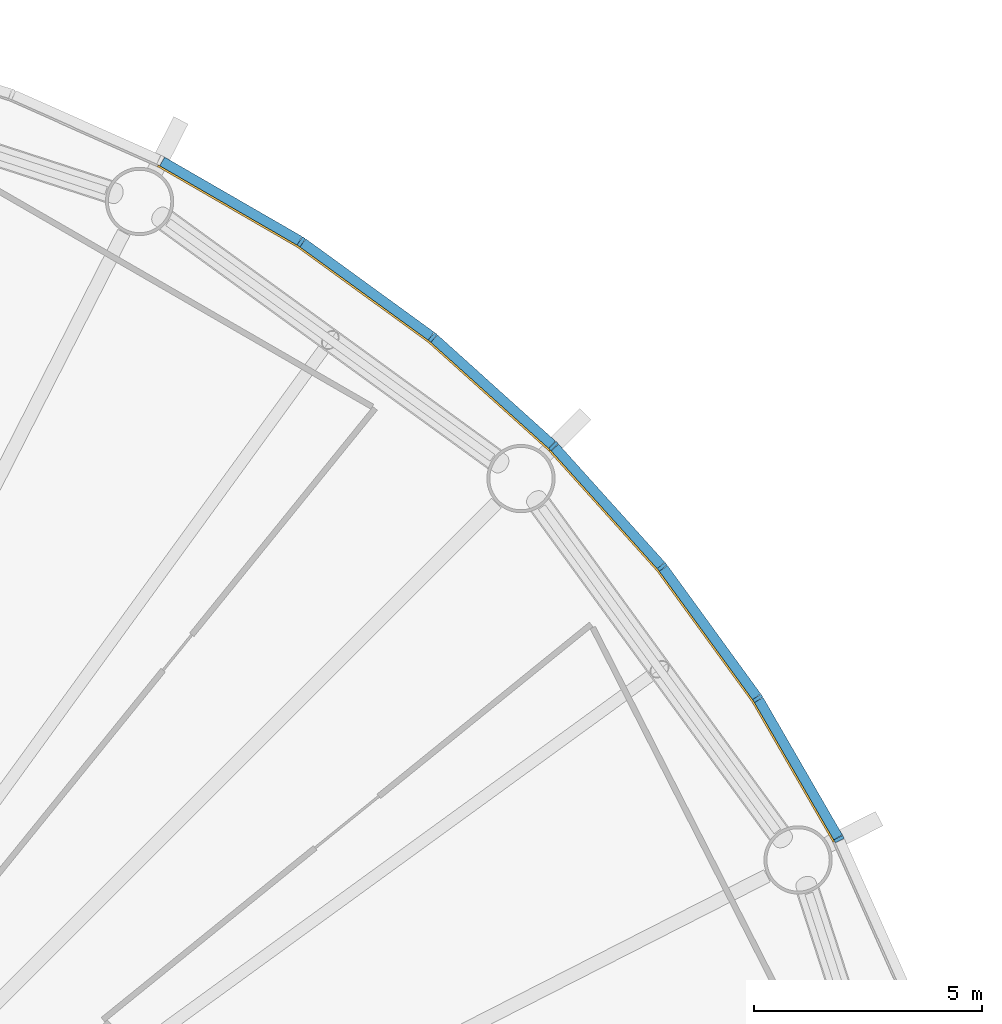
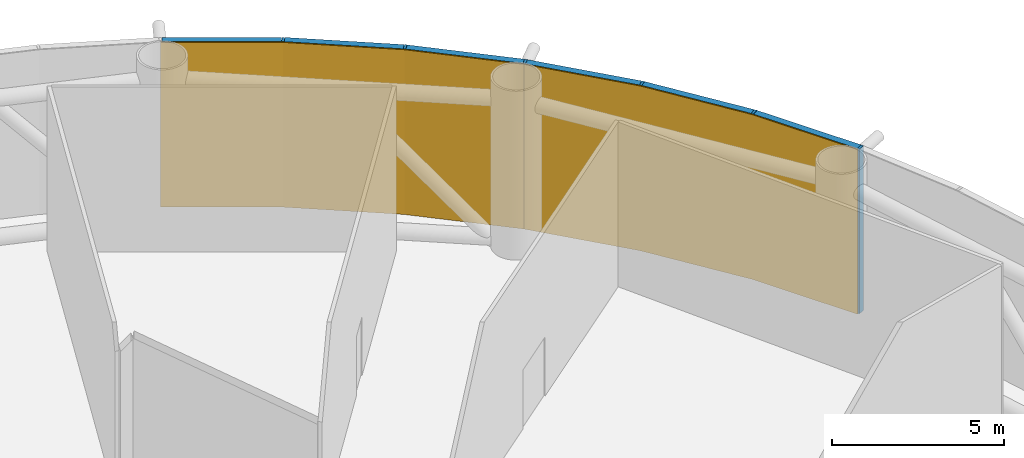
# One storey, part 11 of 14: 12 members, 2 curtain walls.
"""IFC4 building model written with IfcOpenShell, lengths in metres."""

from ifc_helpers import new_model, si_unit, direction, frame, origin, origin_2d, place, context, subcontext, project, spatial, polyline, rectangle, outline, extrude, material, layer, layer_set, material_profile, profile_set, type_object, element, aggregate, save


model = new_model("IFC4")

# Units and contexts
model_context = context("Model", 3, precision=1e-05, world=origin(), true_north=direction((0.0, 1.0)))
body_context = subcontext(model_context, "Body", "Model", "MODEL_VIEW")
ifc_project = project(units=[si_unit("LENGTHUNIT", "METRE"), si_unit("AREAUNIT", "SQUARE_METRE"), si_unit("VOLUMEUNIT", "CUBIC_METRE"), si_unit("PLANEANGLEUNIT", "RADIAN"), si_unit("MASSUNIT", "GRAM", prefix="KILO")], contexts=[model_context])

# Member
ifc_material_1 = material(Name="Anodised aluminium", Category="aluminium")
ifc_material_profile_1 = material_profile(ifc_material_1, rectangle(XDim=0.074951171875, YDim=0.219970703125, at=origin_2d()), Name="Mullion 75 x 220 mm anodised aluminium")
ifc_profile_set_1 = profile_set([ifc_material_profile_1], Name="Anodised aluminium")
member_type_1 = type_object("IfcMemberType", Name="Mullion 75 x 220 mm anodised aluminium", PredefinedType="MULLION", material=ifc_profile_set_1)
site_placement = place(None, origin())
building_placement = place(site_placement, origin())
storey_placement = place(building_placement, frame((0.0, 0.0, 12.0)))
member_1_placement = place(storey_placement, frame((120.392333984375, 95.485595703125, 0.0), z_axis=(0.0, 0.0, 1.0), x_axis=(-0.45399049974, 0.891006524188, 0.0)))
member_1 = element("IfcMember", 1, at=member_1_placement, type_object=member_type_1, Name="MULLION L01-03", PredefinedType="MULLION", context=body_context, shape_type="SweptSolid", body=[
    extrude(rectangle(XDim=0.074951171875, YDim=0.219970703125, at=origin_2d()), origin(), (0.0, 0.0, 1.0), 5.85009765625),
])

member_2_placement = place(storey_placement, frame((118.60693359375, 98.57763671875, 0.0), z_axis=(0.0, 0.0, 1.0), x_axis=(-0.544639035015, 0.838670567945, 0.0)))
member_2 = element("IfcMember", 2, at=member_2_placement, type_object=member_type_1, Name="MULLION L01-04", PredefinedType="MULLION", context=body_context, shape_type="SweptSolid", body=[
    extrude(rectangle(XDim=0.074951171875, YDim=0.219970703125, at=origin_2d()), origin(), (0.0, 0.0, 1.0), 5.85009765625),
])

member_3_placement = place(storey_placement, frame((116.508544921875, 101.466064453125, 0.0), z_axis=(0.0, 0.0, 1.0), x_axis=(-0.62932039105, 0.777145961457, 0.0)))
member_3 = element("IfcMember", 3, at=member_3_placement, type_object=member_type_1, Name="MULLION L01-05", PredefinedType="MULLION", context=body_context, shape_type="SweptSolid", body=[
    extrude(rectangle(XDim=0.074951171875, YDim=0.219970703125, at=origin_2d()), origin(), (0.0, 0.0, 1.0), 5.85009765625),
])

member_4_placement = place(storey_placement, frame((114.119384765625, 104.119384765625, 0.0), z_axis=(0.0, 0.0, 1.0), x_axis=(-0.707106781187, 0.707106781187, 0.0)))
member_4 = element("IfcMember", 4, at=member_4_placement, type_object=member_type_1, Name="MULLION L01-06", PredefinedType="MULLION", context=body_context, shape_type="SweptSolid", body=[
    extrude(rectangle(XDim=0.074951171875, YDim=0.219970703125, at=origin_2d()), origin(), (0.0, 0.0, 1.0), 5.85009765625),
])

member_5_placement = place(storey_placement, frame((111.466064453125, 106.508544921875, 0.0), z_axis=(0.0, 0.0, 1.0), x_axis=(-0.777145961457, 0.62932039105, 0.0)))
member_5 = element("IfcMember", 5, at=member_5_placement, type_object=member_type_1, Name="MULLION L01-07", PredefinedType="MULLION", context=body_context, shape_type="SweptSolid", body=[
    extrude(rectangle(XDim=0.074951171875, YDim=0.219970703125, at=origin_2d()), origin(), (0.0, 0.0, 1.0), 5.85009765625),
])

member_6_placement = place(storey_placement, frame((108.57763671875, 108.60693359375, 0.0), z_axis=(0.0, 0.0, 1.0), x_axis=(-0.838670567945, 0.544639035015, 0.0)))
member_6 = element("IfcMember", 6, at=member_6_placement, type_object=member_type_1, Name="MULLION L01-08", PredefinedType="MULLION", context=body_context, shape_type="SweptSolid", body=[
    extrude(rectangle(XDim=0.074951171875, YDim=0.219970703125, at=origin_2d()), origin(), (0.0, 0.0, 1.0), 5.85009765625),
])

ifc_material_2 = material(Name="Anodised aluminium", Category="aluminium")
ifc_material_profile_2 = material_profile(ifc_material_2, rectangle(XDim=0.219970703125, YDim=0.199951171875, at=origin_2d()), Name="Transom 200 x 220 mm anodised aluminium")
ifc_profile_set_2 = profile_set([ifc_material_profile_2], Name="Anodised aluminium")
member_type_2 = type_object("IfcMemberType", Name="Transom 200 x 220 mm anodised aluminium", PredefinedType="USERDEFINED", material=ifc_profile_set_2)
member_7_placement = place(storey_placement, frame((120.370849609375, 95.523193359375, 5.75), z_axis=(-0.500005538244, 0.866022206254, 0.0), x_axis=(-0.866022206254, -0.500005538244, 0.0)))
member_7 = element("IfcMember", 7, at=member_7_placement, type_object=member_type_2, Name="TRANSOM L01-03", ObjectType="TRANSOM", PredefinedType="USERDEFINED", context=body_context, shape_type="SweptSolid", body=[
    extrude(rectangle(XDim=0.219970703125, YDim=0.199951171875, at=origin_2d()), origin(), (0.0, 0.0, 1.0), 3.48388671875),
])

member_8_placement = place(storey_placement, frame((118.581787109375, 98.61279296875, 5.75), z_axis=(-0.587821627006, 0.80899056535, 0.0), x_axis=(-0.80899056535, -0.587821627006, 0.0)))
member_8 = element("IfcMember", 8, at=member_8_placement, type_object=member_type_2, Name="TRANSOM L01-04", ObjectType="TRANSOM", PredefinedType="USERDEFINED", context=body_context, shape_type="SweptSolid", body=[
    extrude(rectangle(XDim=0.219970703125, YDim=0.199951171875, at=origin_2d()), origin(), (0.0, 0.0, 1.0), 3.48388671875),
])

member_9_placement = place(storey_placement, frame((116.479736328125, 101.498291015625, 5.75), z_axis=(-0.669138930974, 0.743137329876, 0.0), x_axis=(-0.743137329876, -0.669138930974, 0.0)))
member_9 = element("IfcMember", 9, at=member_9_placement, type_object=member_type_2, Name="TRANSOM L01-05", ObjectType="TRANSOM", PredefinedType="USERDEFINED", context=body_context, shape_type="SweptSolid", body=[
    extrude(rectangle(XDim=0.219970703125, YDim=0.199951171875, at=origin_2d()), origin(), (0.0, 0.0, 1.0), 3.484130859375),
])

member_10_placement = place(storey_placement, frame((114.08740234375, 104.1484375, 5.75), z_axis=(-0.743137329876, 0.669138930974, 0.0), x_axis=(-0.669138930974, -0.743137329876, 0.0)))
member_10 = element("IfcMember", 10, at=member_10_placement, type_object=member_type_2, Name="TRANSOM L01-06", ObjectType="TRANSOM", PredefinedType="USERDEFINED", context=body_context, shape_type="SweptSolid", body=[
    extrude(rectangle(XDim=0.219970703125, YDim=0.199951171875, at=origin_2d()), origin(), (0.0, 0.0, 1.0), 3.484130859375),
])

member_11_placement = place(storey_placement, frame((111.43115234375, 106.533935546875, 5.75), z_axis=(-0.80899056535, 0.587821627006, 0.0), x_axis=(-0.587821627006, -0.80899056535, 0.0)))
member_11 = element("IfcMember", 11, at=member_11_placement, type_object=member_type_2, Name="TRANSOM L01-07", ObjectType="TRANSOM", PredefinedType="USERDEFINED", context=body_context, shape_type="SweptSolid", body=[
    extrude(rectangle(XDim=0.219970703125, YDim=0.199951171875, at=origin_2d()), origin(), (0.0, 0.0, 1.0), 3.48388671875),
])

member_12_placement = place(storey_placement, frame((108.540283203125, 108.62890625, 5.75), z_axis=(-0.866022206254, 0.500005538244, 0.0), x_axis=(-0.500005538244, -0.866022206254, 0.0)))
member_12 = element("IfcMember", 12, at=member_12_placement, type_object=member_type_2, Name="TRANSOM L01-08", ObjectType="TRANSOM", PredefinedType="USERDEFINED", context=body_context, shape_type="SweptSolid", body=[
    extrude(rectangle(XDim=0.219970703125, YDim=0.199951171875, at=origin_2d()), origin(), (0.0, 0.0, 1.0), 3.48388671875),
])

# Site, building, storey
site = spatial("IfcSite", under=ifc_project, at=site_placement, CompositionType="ELEMENT")
building = spatial("IfcBuilding", under=site, at=building_placement, Name="Entoto Ring Tower", CompositionType="ELEMENT")
storey = spatial("IfcBuildingStorey", under=building, at=storey_placement, Name="L01", CompositionType="ELEMENT", Elevation=12.0)

# Curtain wall
ifc_material_3 = material(Name="Clear low-iron glass", Category="glass")
ifc_layer = layer(ifc_material_3, 0.0400390625)
ifc_layer_set = layer_set([ifc_layer], Name="Clear low-iron glass")
curtain_wall_type = type_object("IfcCurtainWallType", Name="Curtain wall system CW1 glazing 40 mm", PredefinedType="NOTDEFINED", material=ifc_layer_set)
curtain_wall_1_placement = place(storey_placement, origin())
curtain_wall_1 = element("IfcCurtainWall", 13, at=curtain_wall_1_placement, inside=storey, type_object=curtain_wall_type, Name="CW1 L01-02", PredefinedType="NOTDEFINED", context=body_context, shape_type="SweptSolid", body=[
    extrude(outline(polyline([(120.294189453125, 95.435791015625), (118.514892578125, 98.517822265625), (116.4228515625, 101.39697265625), (114.041748046875, 104.041748046875), (114.013427734375, 104.013427734375), (116.391845703125, 101.37158203125), (118.481201171875, 98.495849609375), (120.258544921875, 95.41748046875), (120.294189453125, 95.435791015625)])), origin(), (0.0, 0.0, 1.0), 5.85009765625),
])

aggregate(curtain_wall_1, [member_1, member_2, member_3, member_7, member_8, member_9])

curtain_wall_2_placement = place(storey_placement, origin())
curtain_wall_2 = element("IfcCurtainWall", 14, at=curtain_wall_2_placement, inside=storey, type_object=curtain_wall_type, Name="CW1 L01-03", PredefinedType="NOTDEFINED", context=body_context, shape_type="SweptSolid", body=[
    extrude(outline(polyline([(114.041748046875, 104.041748046875), (111.39697265625, 106.4228515625), (108.517822265625, 108.514892578125), (105.435791015625, 110.294189453125), (105.41748046875, 110.258544921875), (108.495849609375, 108.481201171875), (111.37158203125, 106.391845703125), (114.013427734375, 104.013427734375), (114.041748046875, 104.041748046875)])), origin(), (0.0, 0.0, 1.0), 5.85009765625),
])

aggregate(curtain_wall_2, [member_4, member_5, member_6, member_10, member_11, member_12])

save(model, "model.ifc")
